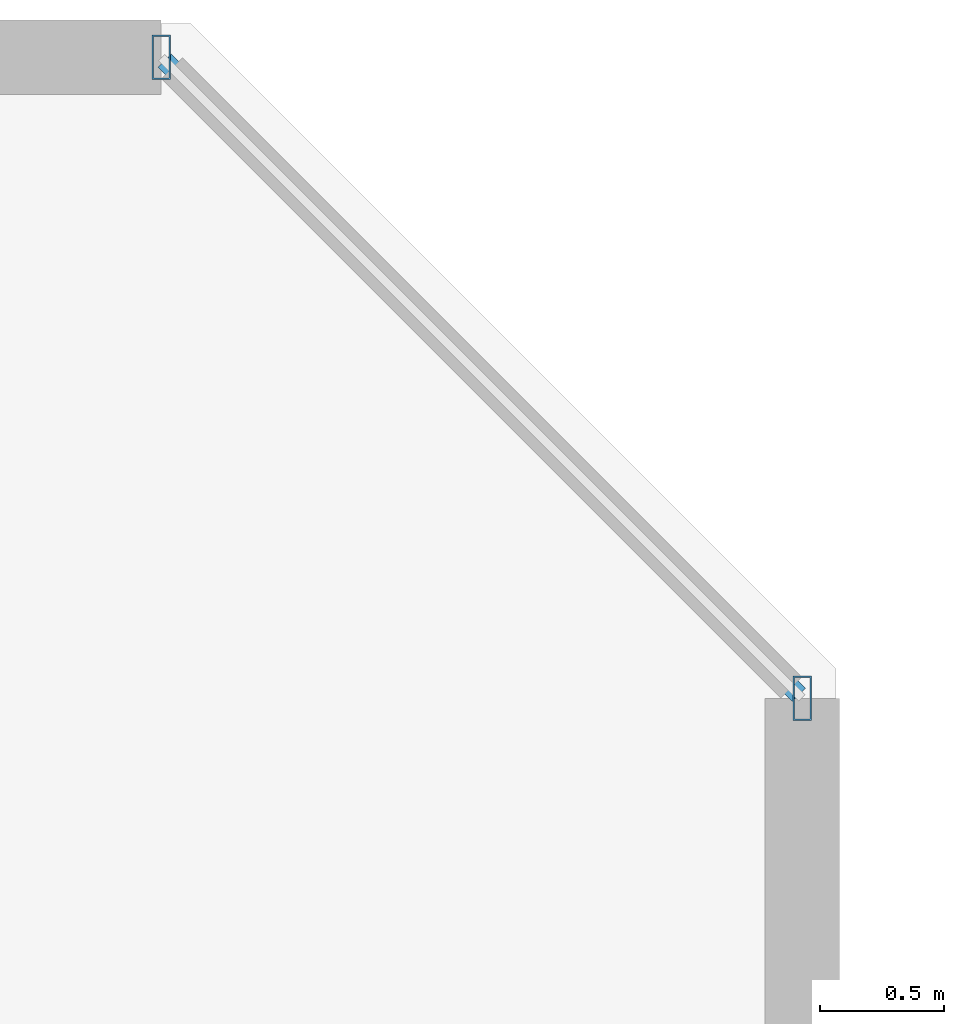
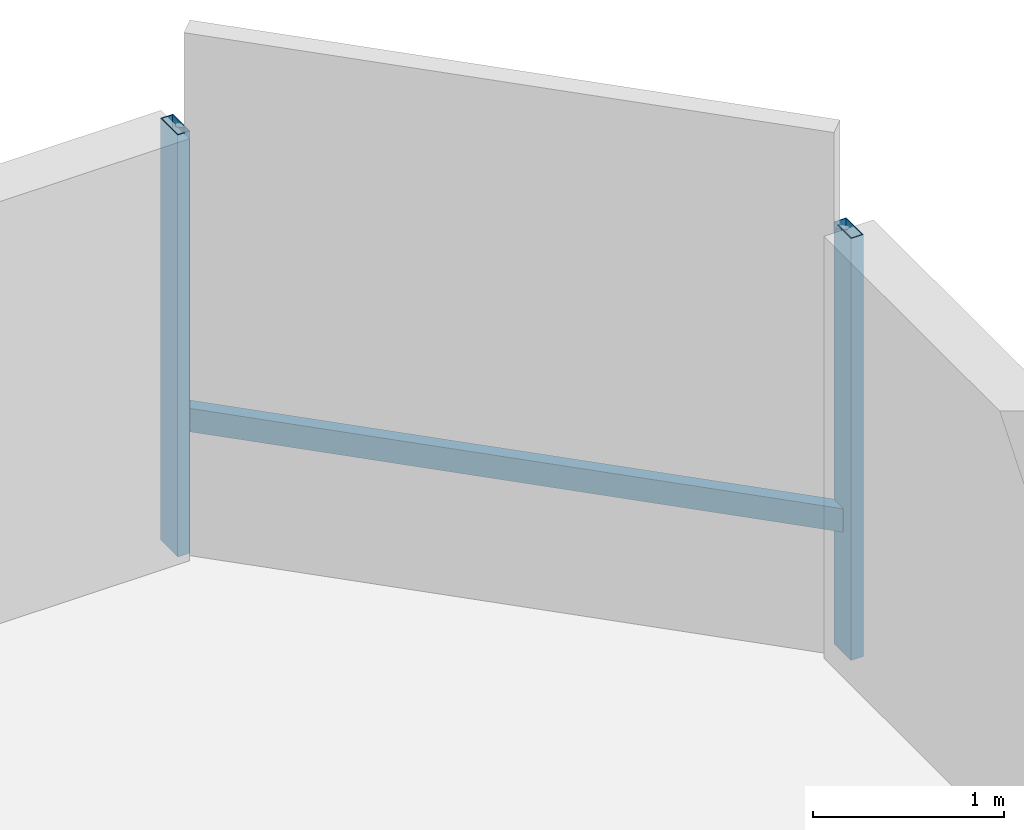
# One storey, part 16 of 32: 3 members, 1 element without a shape of its own.
"""IFC4 building model written with IfcOpenShell, lengths in metres."""

import ifcopenshell
import ifcopenshell.guid

model = None  # the IFC model being written
_history = None  # IfcOwnerHistory: only IFC2X3 demands one
_inside = {}  # id of a spatial element -> (the spatial element, [elements in it])
_under = {}  # id of a project, library or spatial element -> (it, [spatial elements below it])
_declared = {}  # id of a project -> (the project, [libraries it declares])
_typed = {}  # id of a type object -> (the type object, [elements of that type])
_made_of = {}  # id of a material, layer set ... -> (it, [elements and type objects made of it])


def new_model(schema):
    """Start an empty IFC model of exactly this schema.

    Asked for "IFC4X3", IfcOpenShell would pick the latest addendum, in which some entities
    have other attributes; the version numbers below select the first issue.
    IFC2X3 requires an IfcOwnerHistory on every rooted entity: one is made here for all.
    """
    global model, _history
    if schema == "IFC4X3":
        model = ifcopenshell.file(schema_version=(4, 3, 0, 0))
    else:
        model = ifcopenshell.file(schema=schema)
    _inside.clear()
    _under.clear()
    _declared.clear()
    _typed.clear()
    _made_of.clear()
    _history = None
    if model.schema == "IFC2X3":
        org = make("IfcOrganization", Name="unknown")
        user = make(
            "IfcPersonAndOrganization",
            ThePerson=make("IfcPerson", FamilyName="unknown"),
            TheOrganization=org,
        )
        app = make(
            "IfcApplication",
            ApplicationDeveloper=org,
            Version="unknown",
            ApplicationFullName="unknown",
            ApplicationIdentifier="unknown",
        )
        _history = make(
            "IfcOwnerHistory",
            OwningUser=user,
            OwningApplication=app,
            ChangeAction="ADDED",
            CreationDate=0,
        )
    return model


def make(cls, **values):
    """One entity of the class cls with the attributes given. An attribute that is None is left unset."""
    return model.create_entity(
        cls, **{name: value for name, value in values.items() if value is not None}
    )


def rooted(cls, **values):
    """An entity with a GlobalId (a new one), such as an element, a storey or a relation."""
    return make(cls, GlobalId=ifcopenshell.guid.new(), OwnerHistory=_history, **values)


def si_unit(unit_type, name, prefix=None):
    """IfcSIUnit, for example si_unit("LENGTHUNIT", "METRE", prefix="MILLI")."""
    return make("IfcSIUnit", UnitType=unit_type, Prefix=prefix, Name=name)


def assignment(units):
    """IfcUnitAssignment: the units of a project."""
    return None if units is None else make("IfcUnitAssignment", Units=units)


def point(xyz):
    """IfcCartesianPoint."""
    return None if xyz is None else make("IfcCartesianPoint", Coordinates=xyz)


def direction(xyz):
    """IfcDirection."""
    return None if xyz is None else make("IfcDirection", DirectionRatios=xyz)


def frame(location, z_axis=None, x_axis=None):
    """IfcAxis2Placement3D, a coordinate frame: its origin and axes. An axis left out is left unset."""
    return make(
        "IfcAxis2Placement3D",
        Location=point(location),
        Axis=direction(z_axis),
        RefDirection=direction(x_axis),
    )


def frame_2d(location, x_axis=None):
    """IfcAxis2Placement2D, a coordinate frame in the plane: its origin and x axis."""
    return make(
        "IfcAxis2Placement2D", Location=point(location), RefDirection=direction(x_axis)
    )


def origin():
    """The frame at (0, 0, 0) with its axes left unset."""
    return frame((0.0, 0.0, 0.0))


def origin_2d():
    """The frame at (0, 0) in the plane with its x axis left unset."""
    return frame_2d((0.0, 0.0))


def place(relative_to, where):
    """IfcLocalPlacement: puts the frame where relative to a parent placement (None: the world)."""
    return make(
        "IfcLocalPlacement", PlacementRelTo=relative_to, RelativePlacement=where
    )


def context(
    kind, dimensions, precision=None, world=None, true_north=None, identifier=None
):
    """IfcGeometricRepresentationContext, for example the 3D "Model" context."""
    return make(
        "IfcGeometricRepresentationContext",
        ContextIdentifier=identifier,
        ContextType=kind,
        CoordinateSpaceDimension=dimensions,
        Precision=precision,
        WorldCoordinateSystem=world,
        TrueNorth=true_north,
    )


def subcontext(parent, identifier, kind, view, scale=None):
    """IfcGeometricRepresentationSubContext, for example "Body" below "Model"."""
    return make(
        "IfcGeometricRepresentationSubContext",
        ContextIdentifier=identifier,
        ContextType=kind,
        ParentContext=parent,
        TargetScale=scale,
        TargetView=view,
    )


def project(units=None, contexts=None):
    """IfcProject with its units and contexts."""
    return rooted(
        "IfcProject",
        Name="project",
        RepresentationContexts=contexts,
        UnitsInContext=assignment(units),
    )


def spatial(cls, under=None, at=None, **own):
    """A site, building, storey or space (cls), placed at a placement, below another one or the project."""
    s = rooted(cls, ObjectPlacement=at, **own)
    if under is not None:
        _under.setdefault(under.id(), (under, []))[1].append(s)
    return s


def profile(cls, at=None, kind="AREA", **sizes):
    """A parametric profile (cls). Its sizes go by their IFC names, for example OverallWidth=200.0."""
    return make(cls, ProfileType=kind, Position=at, **sizes)


def hollow_rectangle(**sizes):
    """IfcRectangleHollowProfileDef."""
    return profile("IfcRectangleHollowProfileDef", **sizes)


def extrude(swept, where, along, depth):
    """IfcExtrudedAreaSolid: the profile swept, set in the frame where, extruded along a direction by depth."""
    return make(
        "IfcExtrudedAreaSolid",
        SweptArea=swept,
        Position=where,
        ExtrudedDirection=direction(along),
        Depth=depth,
    )


def shape(context_of_items, identifier, shape_type, items):
    """IfcShapeRepresentation: the items that make up one representation, for example the "Body"."""
    return make(
        "IfcShapeRepresentation",
        ContextOfItems=context_of_items,
        RepresentationIdentifier=identifier,
        RepresentationType=shape_type,
        Items=items,
    )


def material(Name=None, Category=None):
    """IfcMaterial."""
    return make("IfcMaterial", Name=Name, Category=Category)


def material_profile(
    of_material, cross_section, Name=None, Category=None, Priority=None
):
    """IfcMaterialProfile: a cross section and its material."""
    return make(
        "IfcMaterialProfile",
        Name=Name,
        Material=of_material,
        Profile=cross_section,
        Priority=Priority,
        Category=Category,
    )


def profile_set(profiles, Name=None, composite=None):
    """IfcMaterialProfileSet."""
    return make(
        "IfcMaterialProfileSet",
        Name=Name,
        MaterialProfiles=profiles,
        CompositeProfile=composite,
    )


def made_of(thing, what):
    """Note that an element or type object is made of a material, layer set ...; save() writes the relation."""
    if what is not None:
        _made_of.setdefault(what.id(), (what, []))[1].append(thing)
    return thing


def type_object(cls, material=None, **own):
    """A type object (cls), such as IfcWallType, which elements share."""
    return made_of(rooted(cls, **own), material)


def element(
    cls,
    number,
    at=None,
    inside=None,
    cuts=None,
    type_object=None,
    material=None,
    context=None,
    identifier="Body",
    shape_type=None,
    held_by="IfcProductDefinitionShape",
    body=None,
    shapes=None,
    **own,
):
    """One element of the class cls, such as IfcWall. Its Tag is "e" and its number.

    at: its placement. inside: the storey or other place that contains it. cuts: it is an
    opening in that element (IfcRelVoidsElement). A single representation is given by context,
    identifier, shape_type and body (its items); several are given by shapes. held_by: the class
    of the entity that holds the representations. save() writes the other relations.
    """
    e = rooted(cls, Tag="e%d" % number, ObjectPlacement=at, **own)
    if body is not None:
        shapes = [shape(context, identifier, shape_type, body)]
    if shapes is not None:
        e.Representation = make(held_by, Representations=shapes)
    if inside is not None:
        _inside.setdefault(inside.id(), (inside, []))[1].append(e)
    if cuts is not None:
        rooted(
            "IfcRelVoidsElement", RelatingBuildingElement=cuts, RelatedOpeningElement=e
        )
    if type_object is not None:
        _typed.setdefault(type_object.id(), (type_object, []))[1].append(e)
    return made_of(e, material)


def aggregate(whole, parts):
    """IfcRelAggregates: a whole, such as a stair, and the parts it consists of."""
    return rooted("IfcRelAggregates", RelatingObject=whole, RelatedObjects=parts)


def save(model, path):
    """Write the relations noted so far, then the file.

    IfcRelAggregates (storeys below a building ...), IfcRelContainedInSpatialStructure (elements
    in a storey), IfcRelDefinesByType, IfcRelAssociatesMaterial and IfcRelDeclares: one each for
    every whole, place, type object, material and project.
    """
    for whole, parts in _under.values():
        aggregate(whole, parts)
    for where, things in _inside.values():
        rooted(
            "IfcRelContainedInSpatialStructure",
            RelatedElements=things,
            RelatingStructure=where,
        )
    for kind, things in _typed.values():
        rooted("IfcRelDefinesByType", RelatedObjects=things, RelatingType=kind)
    for what, things in _made_of.values():
        rooted("IfcRelAssociatesMaterial", RelatedObjects=things, RelatingMaterial=what)
    for by, libraries in _declared.values():
        rooted("IfcRelDeclares", RelatingContext=by, RelatedDefinitions=libraries)
    model.write(path)


model = new_model("IFC4")

# Units and contexts
model_context = context("Model", 3, precision=1e-05, world=origin(), true_north=direction((0.0, 1.0)))
body_context = subcontext(model_context, "Body", "Model", "MODEL_VIEW")
ifc_project = project(units=[si_unit("LENGTHUNIT", "METRE"), si_unit("AREAUNIT", "SQUARE_METRE"), si_unit("VOLUMEUNIT", "CUBIC_METRE"), si_unit("PLANEANGLEUNIT", "RADIAN"), si_unit("MASSUNIT", "GRAM", prefix="KILO")], contexts=[model_context])

# Site, building, storey
site_placement = place(None, origin())
site = spatial("IfcSite", under=ifc_project, at=site_placement, CompositionType="ELEMENT")
building_placement = place(site_placement, origin())
building = spatial("IfcBuilding", under=site, at=building_placement, Name="Thornwick Lancets Civic Towers", CompositionType="ELEMENT")
storey_placement = place(building_placement, frame((0.0, 0.0, 240.300048828125)))
storey = spatial("IfcBuildingStorey", under=building, at=storey_placement, Name="L64", CompositionType="ELEMENT", Elevation=240.300048828125)

# Curtain wall, members
ifc_material_1 = material(Name="High-zone chamfered-corner unitised glass curtain wall", Category="glass")
curtain_wall_type = type_object("IfcCurtainWallType", Name="CW_SYS_05", PredefinedType="NOTDEFINED", material=ifc_material_1)
curtain_wall_placement = place(storey_placement, origin())
curtain_wall = element("IfcCurtainWall", 1, at=curtain_wall_placement, inside=storey, type_object=curtain_wall_type, Name="L64 Curtain Wall CW-L64-B-E3", PredefinedType="NOTDEFINED")
ifc_material_2 = material(Name="Thermally broken bronze aluminium S355", Category="steel")
ifc_material_profile_1 = material_profile(ifc_material_2, hollow_rectangle(XDim=0.074951171875, YDim=0.179931640625, WallThickness=0.006103515625, at=origin_2d()), Name="RHS 180x75x6")
ifc_profile_set_1 = profile_set([ifc_material_profile_1], Name="Thermally broken bronze aluminium S355")
member_type_1 = type_object("IfcMemberType", Name="CW_MUL_180", PredefinedType="MULLION", material=ifc_profile_set_1)
member_1_placement = place(storey_placement, frame((112.2646484375, 42.181396484375, 0.0), z_axis=(0.0, 0.0, 1.0), x_axis=(1.0, 0.0, 0.0)))
member_1 = element("IfcMember", 2, at=member_1_placement, type_object=member_type_1, Name="CW-L64-B-E3 Mullion 0", PredefinedType="MULLION", context=body_context, shape_type="SweptSolid", body=[
    extrude(hollow_rectangle(XDim=0.074951171875, YDim=0.179931640625, WallThickness=0.006103515625, at=origin_2d()), origin(), (0.0, 0.0, 1.0), 2.699951171875),
])
member_2_placement = place(storey_placement, frame((109.681396484375, 44.7646484375, 0.0), z_axis=(0.0, 0.0, 1.0), x_axis=(1.0, 0.0, 0.0)))
member_2 = element("IfcMember", 3, at=member_2_placement, type_object=member_type_1, Name="CW-L64-B-E3 Mullion 1", PredefinedType="MULLION", context=body_context, shape_type="SweptSolid", body=[
    extrude(hollow_rectangle(XDim=0.074951171875, YDim=0.179931640625, WallThickness=0.006103515625, at=origin_2d()), origin(), (0.0, 0.0, 1.0), 2.699951171875),
])
ifc_material_profile_2 = material_profile(ifc_material_2, hollow_rectangle(XDim=0.074951171875, YDim=0.14990234375, WallThickness=0.0048828125, at=origin_2d()), Name="RHS 150x75x5")
ifc_profile_set_2 = profile_set([ifc_material_profile_2], Name="Thermally broken bronze aluminium S355")
member_type_2 = type_object("IfcMemberType", Name="CW_TRN_150", PredefinedType="USERDEFINED", material=ifc_profile_set_2)
member_3_placement = place(storey_placement, frame((112.25048828125, 42.195556640625, 0.849853515625), z_axis=(-0.707106781187, 0.707106781187, 0.0), x_axis=(-0.707106781187, -0.707106781187, 0.0)))
member_3 = element("IfcMember", 4, at=member_3_placement, type_object=member_type_2, Name="CW-L64-B-E3 Transom 0", ObjectType="TRANSOM", PredefinedType="USERDEFINED", context=body_context, shape_type="SweptSolid", body=[
    extrude(hollow_rectangle(XDim=0.074951171875, YDim=0.14990234375, WallThickness=0.0048828125, at=origin_2d()), origin(), (0.0, 0.0, 1.0), 3.61328125),
])
aggregate(curtain_wall, [member_1, member_2, member_3])

save(model, "model.ifc")
